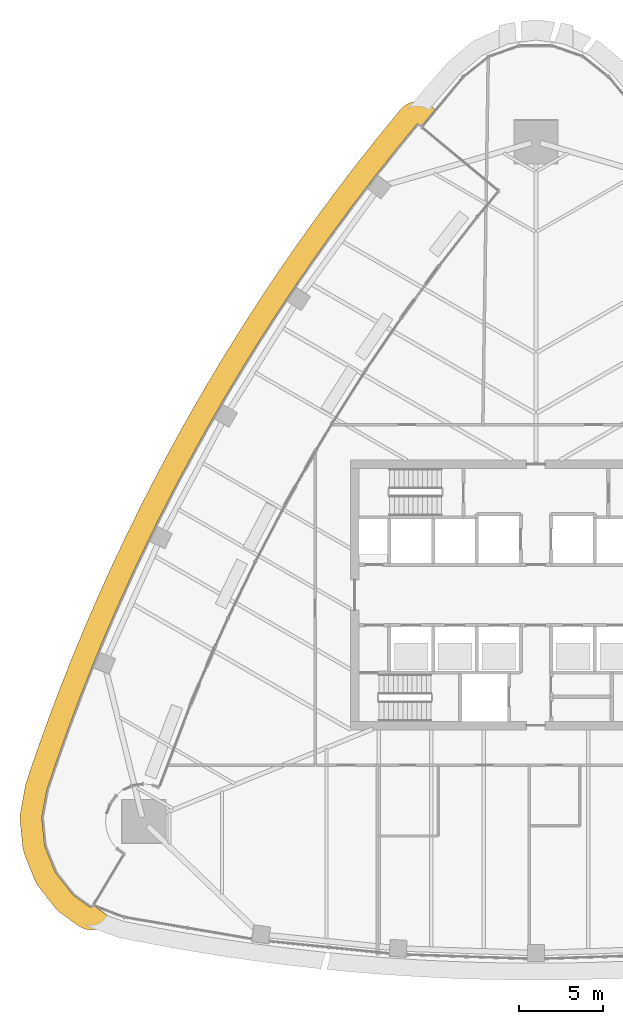
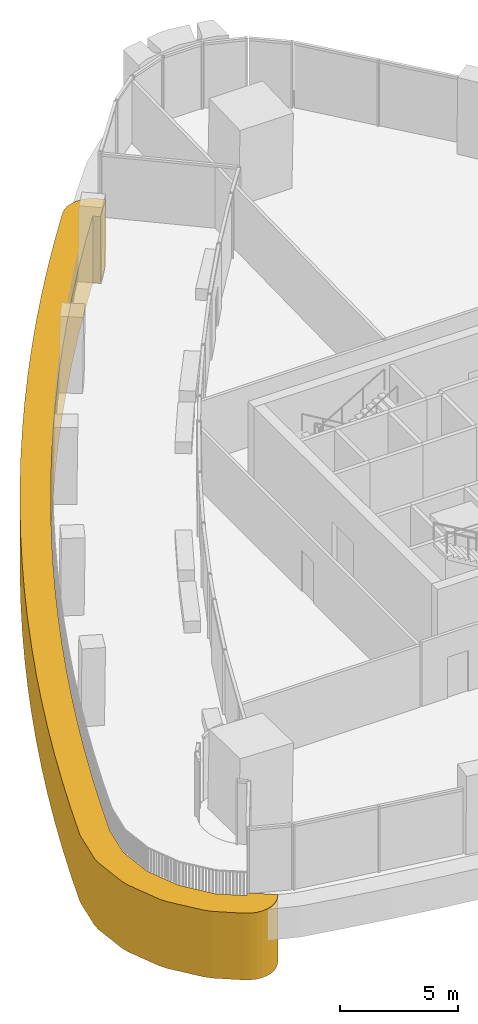
# One storey, part 14 of 18: 1 covering.
"""IFC4 building model written with IfcOpenShell, lengths in metres."""

from ifc_helpers import new_model, si_unit, direction, frame, origin, place, context, subcontext, project, spatial, polyline, outline, extrude, material, layer, layer_set, type_object, element, save


model = new_model("IFC4")

# Units and contexts
model_context = context("Model", 3, precision=1e-05, world=origin(), true_north=direction((0.0, 1.0)))
body_context = subcontext(model_context, "Body", "Model", "MODEL_VIEW")
ifc_project = project(units=[si_unit("LENGTHUNIT", "METRE"), si_unit("AREAUNIT", "SQUARE_METRE"), si_unit("VOLUMEUNIT", "CUBIC_METRE"), si_unit("PLANEANGLEUNIT", "RADIAN"), si_unit("MASSUNIT", "GRAM", prefix="KILO")], contexts=[model_context])

# Site, building, storey
site_placement = place(None, origin())
site = spatial("IfcSite", under=ifc_project, at=site_placement, CompositionType="ELEMENT")
building_placement = place(site_placement, origin())
building = spatial("IfcBuilding", under=site, at=building_placement, Name="Sierra Prisma Convention Tower", CompositionType="ELEMENT")
storey_placement = place(building_placement, frame((0.0, 0.0, 189.800048828125)))
storey = spatial("IfcBuildingStorey", under=building, at=storey_placement, Name="L42", CompositionType="ELEMENT", Elevation=189.800048828125)

# Covering
ifc_material = material(Name="Aluminium composite bronze anodised", Category="aluminium")
ifc_layer = layer(ifc_material, 1.300048828125)
ifc_layer_set = layer_set([ifc_layer], Name="Terrace fascia")
covering_type = type_object("IfcCoveringType", Name="Terrace fascia", PredefinedType="CLADDING", material=ifc_layer_set)
covering_placement = place(storey_placement, frame((0.0, 0.0, -3.400146484375)))
element("IfcCovering", 1, at=covering_placement, inside=storey, type_object=covering_type, Name="Terrace fascia L42.1", PredefinedType="CLADDING", context=body_context, shape_type="SweptSolid", body=[
    extrude(outline(polyline([(-25.28564453125, -19.251220703125), (-25.447509765625, -19.464599609375), (-25.6494140625, -19.640380859375), (-25.883056640625, -19.77099609375), (-26.138671875, -19.850830078125), (-26.405029296875, -19.876708984375), (-26.671142578125, -19.84765625), (-26.92578125, -19.764404296875), (-27.15771484375, -19.631103515625), (-28.23828125, -18.851318359375), (-28.501220703125, -18.598388671875), (-29.543212890625, -17.267333984375), (-29.7255859375, -16.95166015625), (-30.357421875, -15.38330078125), (-30.44482421875, -15.029541015625), (-30.6162109375, -13.347412109375), (-30.601806640625, -12.983154296875), (-30.299560546875, -11.31982421875), (-30.2509765625, -11.1328125), (-29.613525390625, -9.263671875), (-29.606689453125, -9.243896484375), (-28.93896484375, -7.385498046875), (-28.931640625, -7.365478515625), (-28.23388671875, -5.518310546875), (-28.226318359375, -5.49853515625), (-27.498779296875, -3.66259765625), (-27.49072265625, -3.643310546875), (-26.7333984375, -1.819580078125), (-26.72509765625, -1.800048828125), (-25.938232421875, 0.010986328125), (-25.9296875, 0.030517578125), (-25.11328125, 1.82861328125), (-25.1044921875, 1.84765625), (-24.25927734375, 3.63232421875), (-24.25, 3.6513671875), (-23.375732421875, 5.422119140625), (-23.3662109375, 5.44091796875), (-22.46337890625, 7.197021484375), (-22.45361328125, 7.2158203125), (-21.5224609375, 8.957275390625), (-21.51220703125, 8.9755859375), (-20.552734375, 10.70166015625), (-20.54248046875, 10.72021484375), (-19.554931640625, 12.43017578125), (-19.544189453125, 12.448486328125), (-18.529296875, 14.142333984375), (-18.518310546875, 14.160400390625), (-17.475830078125, 15.83740234375), (-17.464599609375, 15.85546875), (-16.39501953125, 17.515380859375), (-16.383544921875, 17.532958984375), (-15.287109375, 19.17529296875), (-15.275390625, 19.19287109375), (-14.152587890625, 20.8173828125), (-14.140380859375, 20.834716796875), (-12.9912109375, 22.4404296875), (-12.978759765625, 22.45751953125), (-11.8037109375, 24.044677734375), (-11.791015625, 24.0615234375), (-10.59033203125, 25.62939453125), (-10.577392578125, 25.64599609375), (-9.351318359375, 27.194091796875), (-9.338134765625, 27.21044921875), (-8.087158203125, 28.73828125), (-8.073486328125, 28.754638671875), (-8.016357421875, 28.822021484375), (-7.834716796875, 28.99853515625), (-7.6220703125, 29.13671875), (-7.38671875, 29.230712890625), (-7.1376953125, 29.27734375), (-6.884521484375, 29.27490234375), (-6.63623046875, 29.22314453125), (-6.403076171875, 29.124267578125), (-6.193359375, 28.982177734375), (-5.939208984375, 28.77099609375), (-6.779052734375, 27.77880859375), (-7.024169921875, 27.982421875), (-7.081298828125, 27.914794921875), (-8.332275390625, 26.386962890625), (-9.55810546875, 24.8388671875), (-10.7587890625, 23.27099609375), (-11.93408203125, 21.68408203125), (-13.0830078125, 20.078125), (-14.2060546875, 18.45361328125), (-15.30224609375, 16.811279296875), (-16.371826171875, 15.1513671875), (-17.414306640625, 13.47412109375), (-18.42919921875, 11.7802734375), (-19.41650390625, 10.070068359375), (-20.3759765625, 8.343994140625), (-21.307373046875, 6.602783203125), (-22.210205078125, 4.846435546875), (-23.08447265625, 3.075927734375), (-23.9296875, 1.291259765625), (-24.745849609375, -0.5068359375), (-25.53271484375, -2.318115234375), (-26.290283203125, -4.141845703125), (-27.017822265625, -5.9775390625), (-27.715576171875, -7.824951171875), (-28.383056640625, -9.683349609375), (-29.0205078125, -11.55224609375), (-29.32275390625, -13.2158203125), (-29.151611328125, -14.897705078125), (-28.519775390625, -16.4658203125), (-27.4775390625, -17.797119140625), (-26.39697265625, -18.576904296875), (-26.287109375, -18.39599609375), (-25.229736328125, -19.1591796875), (-25.28564453125, -19.251220703125)])), origin(), (0.0, 0.0, 1.0), 3.440185546875),
])

save(model, "model.ifc")
